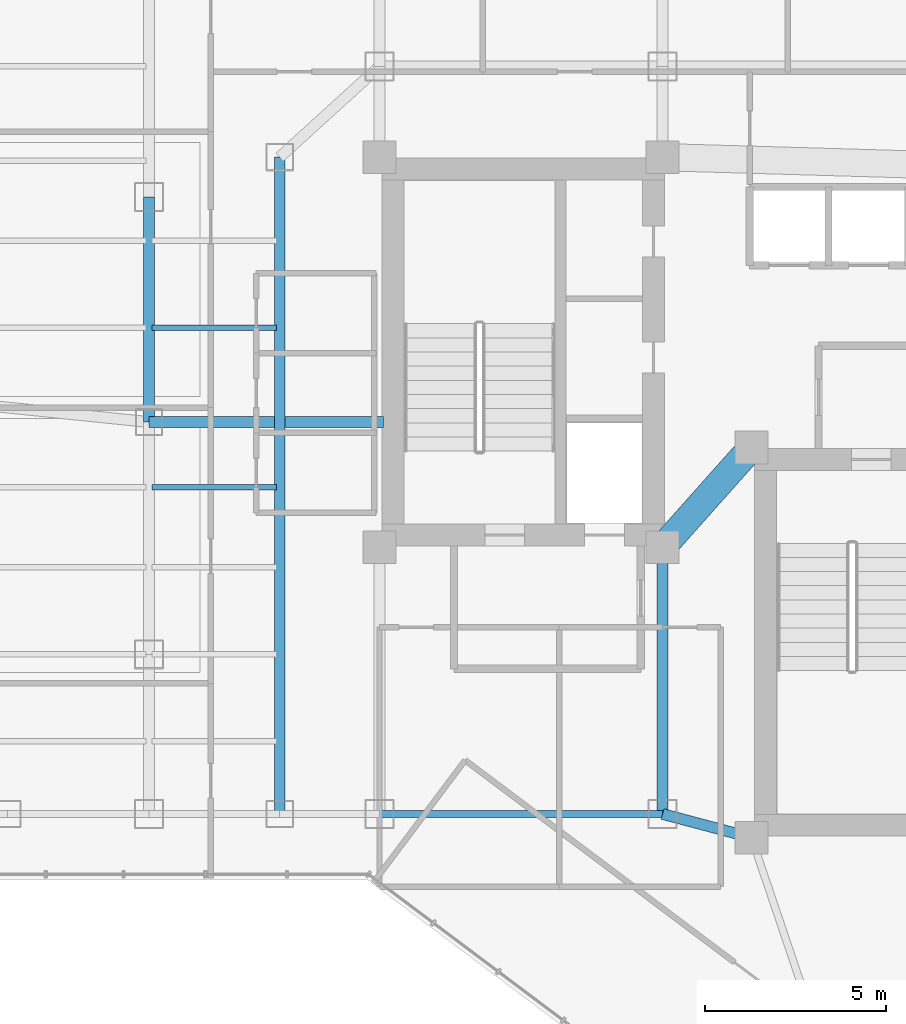
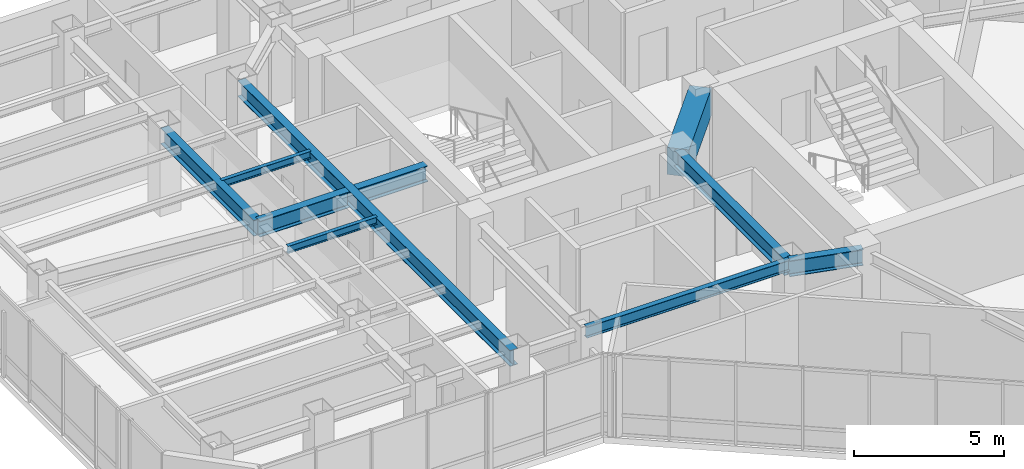
# One storey, part 12 of 29: 10 beams.
"""IFC4 building model written with IfcOpenShell, lengths in metres."""

from ifc_helpers import new_model, si_unit, direction, frame, origin, origin_2d, place, context, subcontext, project, spatial, rectangle, i_section, extrude, material, material_profile, profile_set, type_object, element, save


model = new_model("IFC4")

# Units and contexts
model_context = context("Model", 3, precision=1e-05, world=origin(), true_north=direction((0.0, 1.0)))
body_context = subcontext(model_context, "Body", "Model", "MODEL_VIEW")
ifc_project = project(units=[si_unit("LENGTHUNIT", "METRE"), si_unit("AREAUNIT", "SQUARE_METRE"), si_unit("VOLUMEUNIT", "CUBIC_METRE"), si_unit("PLANEANGLEUNIT", "RADIAN"), si_unit("MASSUNIT", "GRAM", prefix="KILO")], contexts=[model_context])

# Site, building, storey
site_placement = place(None, origin())
site = spatial("IfcSite", under=ifc_project, at=site_placement, CompositionType="ELEMENT")
building_placement = place(site_placement, origin())
building = spatial("IfcBuilding", under=site, at=building_placement, Name="Hatsunagi Terrace Concourse", CompositionType="ELEMENT")
storey_placement = place(building_placement, frame((0.0, 0.0, 178.050048828125)))
storey = spatial("IfcBuildingStorey", under=building, at=storey_placement, Name="L47", CompositionType="ELEMENT", Elevation=178.050048828125)

# Beams
ifc_material_1 = material(Name="Concrete Fc48", Category="concrete")
ifc_material_profile_1 = material_profile(ifc_material_1, rectangle(XDim=0.75, YDim=1.10009765625, at=origin_2d()), Name="RC-750x1100")
ifc_profile_set_1 = profile_set([ifc_material_profile_1], Name="Concrete Fc48")
beam_type_1 = type_object("IfcBeamType", Name="CoreCouplingBeam_RC_750x1100", PredefinedType="BEAM", material=ifc_profile_set_1)
beam_1_placement = place(storey_placement, frame((33.35009765625, 32.550048828125, 2.75), z_axis=(0.665198651008, 0.746666427997, 0.0), x_axis=(-0.746666427997, 0.665198651008, 0.0)))
element("IfcBeam", 1, at=beam_1_placement, inside=storey, type_object=beam_type_1, Name="Beam CB-02 CB-L47-1", PredefinedType="BEAM", context=body_context, shape_type="SweptSolid", body=[
    extrude(rectangle(XDim=0.75, YDim=1.10009765625, at=origin_2d()), origin(), (0.0, 0.0, 1.0), 3.68310546875),
])
ifc_material_2 = material(Name="Steel SN490B", Category="steel")
ifc_material_profile_2 = material_profile(ifc_material_2, i_section(OverallWidth=0.14990234375, OverallDepth=0.300048828125, WebThickness=0.006591796875, FlangeThickness=0.009033203125, FilletRadius=0.010986328125, at=origin_2d()), Name="H-300x150x6.5x9")
ifc_profile_set_2 = profile_set([ifc_material_profile_2], Name="Steel SN490B")
beam_type_2 = type_object("IfcBeamType", Name="OfficeJoist_H_300x150", PredefinedType="JOIST", material=ifc_profile_set_2)
for number, where, z_axis, x_axis, name in (
    (2, (19.284912109375, 34.199951171875, 3.14990234375), (1.0, 0.0, 0.0), (0.0, 1.0, 0.0), "Beam J-03 J-L47-W-19-342"),
    (3, (19.284912109375, 38.60009765625, 3.14990234375), (1.0, 0.0, 0.0), (0.0, 1.0, 0.0), "Beam J-03 J-L47-W-19-386"),
):
    element("IfcBeam", number, at=place(storey_placement, frame(where, z_axis=z_axis, x_axis=x_axis)), inside=storey, type_object=beam_type_2, Name=name, PredefinedType="JOIST", context=body_context, shape_type="SweptSolid", body=[
        extrude(i_section(OverallWidth=0.14990234375, OverallDepth=0.300048828125, WebThickness=0.006591796875, FlangeThickness=0.009033203125, FilletRadius=0.010986328125, at=origin_2d()), origin(), (0.0, 0.0, 1.0), 3.43017578125),
    ])
ifc_material_3 = material(Name="Steel SN490B", Category="steel")
ifc_material_profile_3 = material_profile(ifc_material_3, i_section(OverallWidth=0.300048828125, OverallDepth=0.64990234375, WebThickness=0.012939453125, FlangeThickness=0.02197265625, FilletRadius=0.01806640625, at=origin_2d()), Name="H-650x300x13x22")
ifc_profile_set_3 = profile_set([ifc_material_profile_3], Name="Steel SN490B")
beam_type_3 = type_object("IfcBeamType", Name="OfficeLowGirder_H_650x300", PredefinedType="BEAM", material=ifc_profile_set_3)
beam_2_placement = place(storey_placement, frame((33.35009765625, 25.199951171875, 2.974853515625), z_axis=(0.0, 1.0, 0.0), x_axis=(-1.0, 0.0, 0.0)))
element("IfcBeam", 4, at=beam_2_placement, inside=storey, type_object=beam_type_3, Name="Beam G-05 BM-L47-K2CA", PredefinedType="BEAM", context=body_context, shape_type="SweptSolid", body=[
    extrude(i_section(OverallWidth=0.300048828125, OverallDepth=0.64990234375, WebThickness=0.012939453125, FlangeThickness=0.02197265625, FilletRadius=0.01806640625, at=origin_2d()), origin(), (0.0, 0.0, 1.0), 7.35009765625),
])
beam_3_placement = place(storey_placement, frame((33.35009765625, 25.199951171875, 2.974853515625), z_axis=(0.966569840116, -0.256403479262, 0.0), x_axis=(0.256403479262, 0.966569840116, 0.0)))
element("IfcBeam", 5, at=beam_3_placement, inside=storey, type_object=beam_type_3, Name="Beam G-05 BM-L47-K2CB", PredefinedType="BEAM", context=body_context, shape_type="SweptSolid", body=[
    extrude(i_section(OverallWidth=0.300048828125, OverallDepth=0.64990234375, WebThickness=0.012939453125, FlangeThickness=0.02197265625, FilletRadius=0.01806640625, at=origin_2d()), origin(), (0.0, 0.0, 1.0), 2.53466796875),
])
beam_4_placement = place(storey_placement, frame((22.800048828125, 25.199951171875, 2.974853515625), z_axis=(0.0, 1.0, 0.0), x_axis=(-1.0, 0.0, 0.0)))
element("IfcBeam", 6, at=beam_4_placement, inside=storey, type_object=beam_type_3, Name="Beam G-05 BM-L47-CWNS", PredefinedType="BEAM", context=body_context, shape_type="SweptSolid", body=[
    extrude(i_section(OverallWidth=0.300048828125, OverallDepth=0.64990234375, WebThickness=0.012939453125, FlangeThickness=0.02197265625, FilletRadius=0.01806640625, at=origin_2d()), origin(), (0.0, 0.0, 1.0), 18.10009765625),
])
beam_5_placement = place(storey_placement, frame((19.199951171875, 36.0, 2.974853515625), z_axis=(0.0, 1.0, 0.0), x_axis=(-1.0, 0.0, 0.0)))
element("IfcBeam", 7, at=beam_5_placement, inside=storey, type_object=beam_type_3, Name="Beam G-05 BM-L47-NS-19-36", PredefinedType="BEAM", context=body_context, shape_type="SweptSolid", body=[
    extrude(i_section(OverallWidth=0.300048828125, OverallDepth=0.64990234375, WebThickness=0.012939453125, FlangeThickness=0.02197265625, FilletRadius=0.01806640625, at=origin_2d()), origin(), (0.0, 0.0, 1.0), 6.199951171875),
])
beam_6_placement = place(storey_placement, frame((19.199951171875, 36.0, 2.974853515625), z_axis=(1.0, 0.0, 0.0), x_axis=(0.0, 1.0, 0.0)))
element("IfcBeam", 8, at=beam_6_placement, inside=storey, type_object=beam_type_3, Name="Beam G-05 BM-L47-EW-3", PredefinedType="BEAM", context=body_context, shape_type="SweptSolid", body=[
    extrude(i_section(OverallWidth=0.300048828125, OverallDepth=0.64990234375, WebThickness=0.012939453125, FlangeThickness=0.02197265625, FilletRadius=0.01806640625, at=origin_2d()), origin(), (0.0, 0.0, 1.0), 3.449951171875),
])
beam_7_placement = place(storey_placement, frame((22.949951171875, 36.0, 2.974853515625), z_axis=(1.0, 0.0, 0.0), x_axis=(0.0, 1.0, 0.0)))
element("IfcBeam", 9, at=beam_7_placement, inside=storey, type_object=beam_type_3, Name="Beam G-05 BM-L47-EW-4", PredefinedType="BEAM", context=body_context, shape_type="SweptSolid", body=[
    extrude(i_section(OverallWidth=0.300048828125, OverallDepth=0.64990234375, WebThickness=0.012939453125, FlangeThickness=0.02197265625, FilletRadius=0.01806640625, at=origin_2d()), origin(), (0.0, 0.0, 1.0), 2.7099609375),
])
ifc_material_4 = material(Name="Steel SN490B", Category="steel")
ifc_material_profile_4 = material_profile(ifc_material_4, i_section(OverallWidth=0.199951171875, OverallDepth=0.449951171875, WebThickness=0.009033203125, FlangeThickness=0.013916015625, FilletRadius=0.01611328125, at=origin_2d()), Name="H-450x200x9x14")
ifc_profile_set_4 = profile_set([ifc_material_profile_4], Name="Steel SN490B")
beam_type_4 = type_object("IfcBeamType", Name="PerimeterSpandrel_H_450x200", PredefinedType="SPANDREL", material=ifc_profile_set_4)
beam_8_placement = place(storey_placement, frame((25.550048828125, 25.199951171875, 3.074951171875), z_axis=(1.0, 0.0, 0.0), x_axis=(0.0, 1.0, 0.0)))
element("IfcBeam", 10, at=beam_8_placement, inside=storey, type_object=beam_type_4, Name="Beam SP-02 BM-L47-WS-25", PredefinedType="SPANDREL", context=body_context, shape_type="SweptSolid", body=[
    extrude(i_section(OverallWidth=0.199951171875, OverallDepth=0.449951171875, WebThickness=0.009033203125, FlangeThickness=0.013916015625, FilletRadius=0.01611328125, at=origin_2d()), origin(), (0.0, 0.0, 1.0), 7.800048828125),
])

save(model, "model.ifc")
